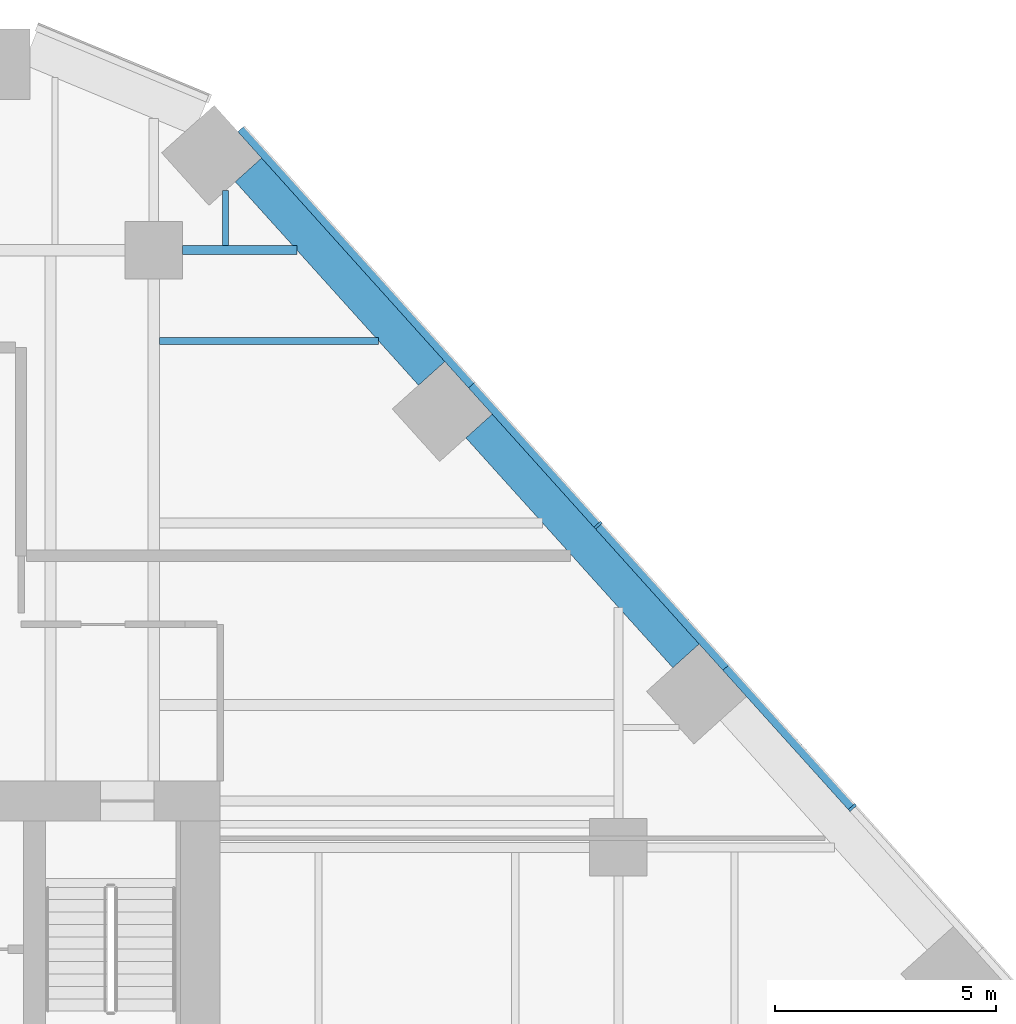
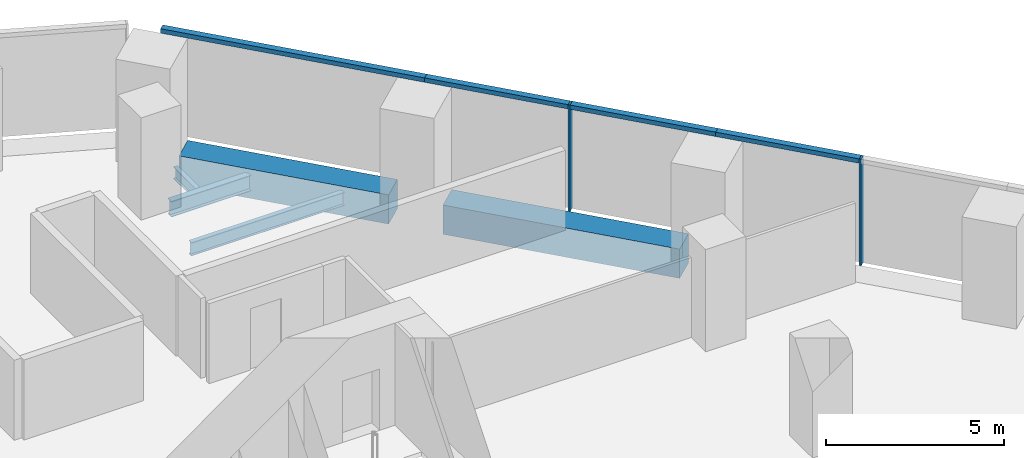
# One storey, part 10 of 21: 6 members, 5 beams, 1 element without a shape of its own.
"""IFC4 building model written with IfcOpenShell, lengths in metres."""

from ifc_helpers import new_model, si_unit, direction, frame, origin, origin_2d, place, context, subcontext, project, spatial, rectangle, i_section, extrude, material, layer, layer_set, material_profile, profile_set, type_object, element, aggregate, save


model = new_model("IFC4")

# Units and contexts
model_context = context("Model", 3, precision=1e-05, world=origin(), true_north=direction((0.0, 1.0)))
body_context = subcontext(model_context, "Body", "Model", "MODEL_VIEW")
ifc_project = project(units=[si_unit("LENGTHUNIT", "METRE"), si_unit("AREAUNIT", "SQUARE_METRE"), si_unit("VOLUMEUNIT", "CUBIC_METRE"), si_unit("PLANEANGLEUNIT", "RADIAN"), si_unit("MASSUNIT", "GRAM", prefix="KILO")], contexts=[model_context])

# Site, building, storey
site_placement = place(None, origin())
site = spatial("IfcSite", under=ifc_project, at=site_placement, CompositionType="ELEMENT")
building_placement = place(site_placement, origin())
building = spatial("IfcBuilding", under=site, at=building_placement, Name="Isthmus Gate Tower", CompositionType="ELEMENT")
storey_placement = place(building_placement, frame((0.0, 0.0, 102.550048828125)))
storey = spatial("IfcBuildingStorey", under=building, at=storey_placement, Name="L24", CompositionType="ELEMENT", Elevation=102.550048828125)

# Curtain wall, members
ifc_material_1 = material(Name="Aluminium, pale champagne anodised", Category="aluminium")
ifc_layer = layer(ifc_material_1, 0.199951171875)
ifc_layer_set = layer_set([ifc_layer], Name="CW-1 UNITISED CURTAIN WALL 200 DEEP")
curtain_wall_type = type_object("IfcCurtainWallType", Name="CW-1 UNITISED CURTAIN WALL 200 DEEP", PredefinedType="NOTDEFINED", material=ifc_layer_set)
curtain_wall_placement = place(storey_placement, origin())
curtain_wall = element("IfcCurtainWall", 1, at=curtain_wall_placement, inside=storey, type_object=curtain_wall_type, Name="CW-1 NE L24", PredefinedType="NOTDEFINED")
ifc_material_2 = material(Name="Aluminium, pale champagne anodised", Category="aluminium")
ifc_material_profile_1 = material_profile(ifc_material_2, rectangle(XDim=0.06005859375, YDim=0.199951171875, at=origin_2d()), Name="60x200")
ifc_profile_set_1 = profile_set([ifc_material_profile_1], Name="Aluminium, pale champagne anodised")
member_type_1 = type_object("IfcMemberType", Name="CW-1 MULLION 60 X 200", PredefinedType="MULLION", material=ifc_profile_set_1)
member_1_placement = place(storey_placement, frame((29.287841796875, 14.400146484375, 0.0), z_axis=(0.0, 0.0, 1.0), x_axis=(-0.669130606359, 0.743144825477, 0.0)))
member_1 = element("IfcMember", 2, at=member_1_placement, type_object=member_type_1, Name="CW-1 mullion", PredefinedType="MULLION", context=body_context, shape_type="SweptSolid", body=[
    extrude(rectangle(XDim=0.06005859375, YDim=0.199951171875, at=origin_2d()), origin(), (0.0, 0.0, 1.0), 3.64990234375),
])
member_2_placement = place(storey_placement, frame((23.54052734375, 20.783447265625, 0.0), z_axis=(0.0, 0.0, 1.0), x_axis=(-0.669130606359, 0.743144825477, 0.0)))
member_2 = element("IfcMember", 3, at=member_2_placement, type_object=member_type_1, Name="CW-1 mullion", PredefinedType="MULLION", context=body_context, shape_type="SweptSolid", body=[
    extrude(rectangle(XDim=0.06005859375, YDim=0.199951171875, at=origin_2d()), origin(), (0.0, 0.0, 1.0), 3.64990234375),
])
ifc_material_3 = material(Name="Aluminium, pale champagne anodised", Category="aluminium")
ifc_material_profile_2 = material_profile(ifc_material_3, rectangle(XDim=0.199951171875, YDim=0.14990234375, at=origin_2d()), Name="200x150")
ifc_profile_set_2 = profile_set([ifc_material_profile_2], Name="Aluminium, pale champagne anodised")
member_type_2 = type_object("IfcMemberType", Name="CW-1 TRANSOM 200 X 150", PredefinedType="USERDEFINED", material=ifc_profile_set_2)
member_3_placement = place(storey_placement, frame((29.267822265625, 14.422607421875, 3.574951171875), z_axis=(-0.669123979474, 0.743150792298, 0.0), x_axis=(-0.743150792298, -0.669123979474, 0.0)))
member_3 = element("IfcMember", 4, at=member_3_placement, type_object=member_type_2, Name="CW-1 transom", ObjectType="TRANSOM", PredefinedType="USERDEFINED", context=body_context, shape_type="SweptSolid", body=[
    extrude(rectangle(XDim=0.199951171875, YDim=0.14990234375, at=origin_2d()), origin(), (0.0, 0.0, 1.0), 4.234619140625),
])
member_4_placement = place(storey_placement, frame((26.434326171875, 17.569580078125, 3.574951171875), z_axis=(-0.669159437096, 0.743118865153, 0.0), x_axis=(-0.743118865153, -0.669159437096, 0.0)))
member_4 = element("IfcMember", 5, at=member_4_placement, type_object=member_type_2, Name="CW-1 transom", ObjectType="TRANSOM", PredefinedType="USERDEFINED", context=body_context, shape_type="SweptSolid", body=[
    extrude(rectangle(XDim=0.199951171875, YDim=0.14990234375, at=origin_2d()), origin(), (0.0, 0.0, 1.0), 4.294677734375),
])
member_5_placement = place(storey_placement, frame((23.520263671875, 20.8056640625, 3.574951171875), z_axis=(-0.669123979474, 0.743150792298, 0.0), x_axis=(-0.743150792298, -0.669123979474, 0.0)))
member_5 = element("IfcMember", 6, at=member_5_placement, type_object=member_type_2, Name="CW-1 transom", ObjectType="TRANSOM", PredefinedType="USERDEFINED", context=body_context, shape_type="SweptSolid", body=[
    extrude(rectangle(XDim=0.199951171875, YDim=0.14990234375, at=origin_2d()), origin(), (0.0, 0.0, 1.0), 4.234619140625),
])
member_6_placement = place(storey_placement, frame((20.686767578125, 23.95263671875, 3.574951171875), z_axis=(-0.669137878224, 0.743138277797, 0.0), x_axis=(-0.743138277797, -0.669137878224, 0.0)))
member_6 = element("IfcMember", 7, at=member_6_placement, type_object=member_type_2, Name="CW-1 transom", ObjectType="TRANSOM", PredefinedType="USERDEFINED", context=body_context, shape_type="SweptSolid", body=[
    extrude(rectangle(XDim=0.199951171875, YDim=0.14990234375, at=origin_2d()), origin(), (0.0, 0.0, 1.0), 7.789306640625),
])
aggregate(curtain_wall, [member_1, member_3, member_4, member_2, member_5, member_6])

# Beams
ifc_material_4 = material(Name="Concrete f'c 70 MPa", Category="concrete")
ifc_material_profile_3 = material_profile(ifc_material_4, rectangle(XDim=0.800048828125, YDim=1.0, at=origin_2d()), Name="RC 800X1000")
ifc_profile_set_3 = profile_set([ifc_material_profile_3], Name="Concrete f'c 70 MPa")
beam_type_1 = type_object("IfcBeamType", Name="RC SPANDREL 800 X 1000", PredefinedType="SPANDREL", material=ifc_profile_set_3)
beam_1_placement = place(storey_placement, frame((15.638427734375, 28.812255859375, -0.5), z_axis=(0.669139054219, -0.743137218903, 0.0), x_axis=(0.743137218903, 0.669139054219, 0.0)))
element("IfcBeam", 8, at=beam_1_placement, inside=storey, type_object=beam_type_1, Name="str-spandrel-L24-01", PredefinedType="SPANDREL", context=body_context, shape_type="SweptSolid", body=[
    extrude(rectangle(XDim=0.800048828125, YDim=1.0, at=origin_2d()), origin(), (0.0, 0.0, 1.0), 6.189453125),
])
beam_2_placement = place(storey_placement, frame((20.8505859375, 23.0234375, -0.5), z_axis=(0.669128753615, -0.743146493691, 0.0), x_axis=(0.743146493691, 0.669128753615, 0.0)))
element("IfcBeam", 9, at=beam_2_placement, inside=storey, type_object=beam_type_1, Name="str-spandrel-L24-02", PredefinedType="SPANDREL", context=body_context, shape_type="SweptSolid", body=[
    extrude(rectangle(XDim=0.800048828125, YDim=1.0, at=origin_2d()), origin(), (0.0, 0.0, 1.0), 6.9892578125),
])
ifc_material_5 = material(Name="Structural steel ASTM A992 Gr 50", Category="steel")
ifc_material_profile_4 = material_profile(ifc_material_5, i_section(OverallWidth=0.1396484375, OverallDepth=0.4033203125, WebThickness=0.00634765625, FlangeThickness=0.010986328125, at=origin_2d()), Name="W16X31")
ifc_profile_set_4 = profile_set([ifc_material_profile_4], Name="Structural steel ASTM A992 Gr 50")
beam_type_2 = type_object("IfcBeamType", Name="STEEL FLOOR BEAM W16X31", PredefinedType="JOIST", material=ifc_profile_set_4)
beam_3_placement = place(storey_placement, frame((15.12109375, 27.104736328125, -0.3515625), z_axis=(0.0, 1.0, 0.0), x_axis=(-1.0, 0.0, 0.0)))
element("IfcBeam", 10, at=beam_3_placement, inside=storey, type_object=beam_type_2, Name="str-beam-L24-25-00", PredefinedType="JOIST", context=body_context, shape_type="SweptSolid", body=[
    extrude(i_section(OverallWidth=0.1396484375, OverallDepth=0.4033203125, WebThickness=0.00634765625, FlangeThickness=0.010986328125, at=origin_2d()), origin(), (0.0, 0.0, 1.0), 1.24169921875),
])
ifc_material_6 = material(Name="Structural steel ASTM A992 Gr 50", Category="steel")
ifc_material_profile_5 = material_profile(ifc_material_6, i_section(OverallWidth=0.15234375, OverallDepth=0.45068359375, WebThickness=0.0078125, FlangeThickness=0.010986328125, at=origin_2d()), Name="W18X35")
ifc_profile_set_5 = profile_set([ifc_material_profile_5], Name="Structural steel ASTM A992 Gr 50")
beam_type_3 = type_object("IfcBeamType", Name="STEEL FLOOR BEAM W18X35", PredefinedType="JOIST", material=ifc_profile_set_5)
beam_4_placement = place(storey_placement, frame((13.626953125, 24.944091796875, -0.37548828125), z_axis=(1.0, 0.0, 0.0), x_axis=(0.0, 1.0, 0.0)))
element("IfcBeam", 11, at=beam_4_placement, inside=storey, type_object=beam_type_3, Name="str-beam-L24-26-02", PredefinedType="JOIST", context=body_context, shape_type="SweptSolid", body=[
    extrude(i_section(OverallWidth=0.15234375, OverallDepth=0.45068359375, WebThickness=0.0078125, FlangeThickness=0.010986328125, at=origin_2d()), origin(), (0.0, 0.0, 1.0), 4.9560546875),
])
ifc_material_7 = material(Name="Structural steel ASTM A992 Gr 50", Category="steel")
ifc_material_profile_6 = material_profile(ifc_material_7, i_section(OverallWidth=0.20947265625, OverallDepth=0.533447265625, WebThickness=0.009521484375, FlangeThickness=0.015869140625, at=origin_2d()), Name="W21X62")
ifc_profile_set_6 = profile_set([ifc_material_profile_6], Name="Structural steel ASTM A992 Gr 50")
beam_type_4 = type_object("IfcBeamType", Name="STEEL GIRDER W21X62", PredefinedType="BEAM", material=ifc_profile_set_6)
beam_5_placement = place(storey_placement, frame((14.14990234375, 27.0, -0.416748046875), z_axis=(1.0, 0.0, 0.0), x_axis=(0.0, 1.0, 0.0)))
element("IfcBeam", 12, at=beam_5_placement, inside=storey, type_object=beam_type_4, Name="str-girder-L24-20", PredefinedType="BEAM", context=body_context, shape_type="SweptSolid", body=[
    extrude(i_section(OverallWidth=0.20947265625, OverallDepth=0.533447265625, WebThickness=0.009521484375, FlangeThickness=0.015869140625, at=origin_2d()), origin(), (0.0, 0.0, 1.0), 2.58203125),
])

save(model, "model.ifc")
